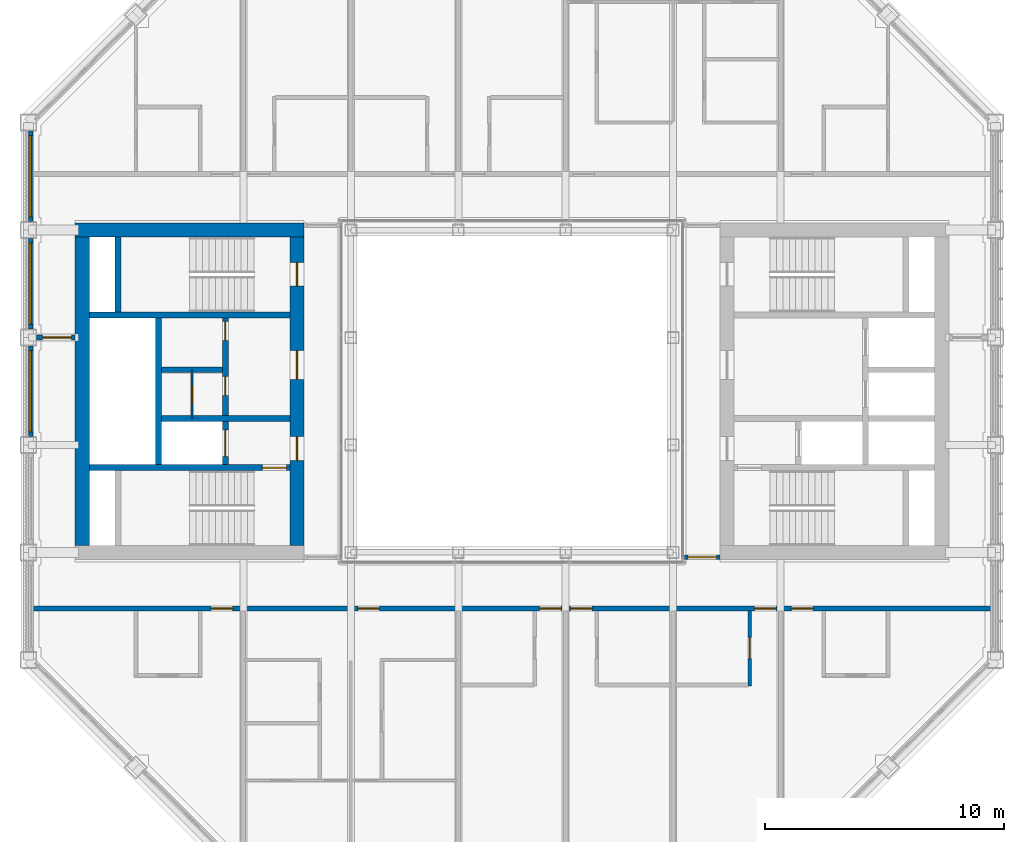
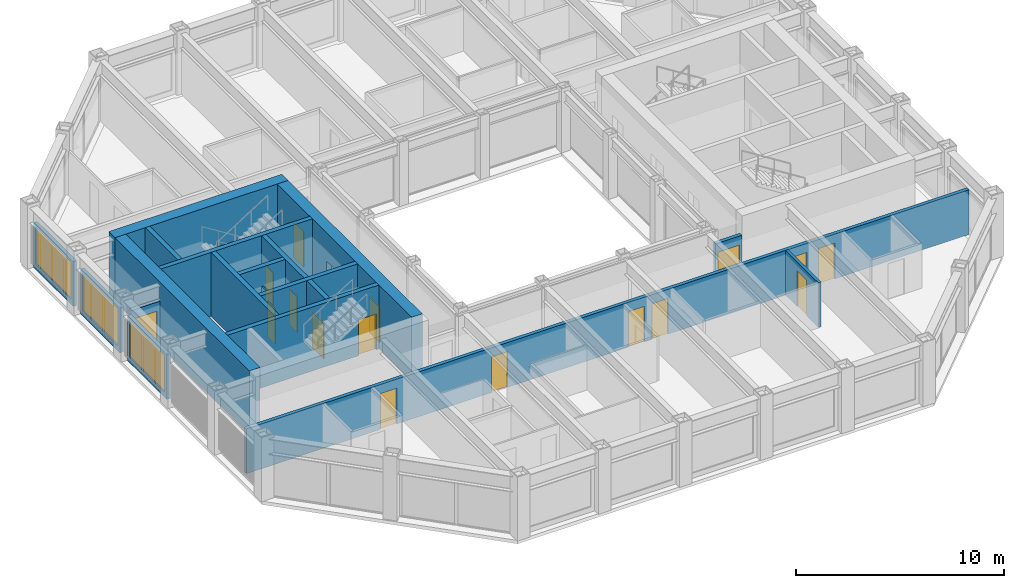
# One storey, part 10 of 18: 18 walls, 17 doors, 3 windows, 20 openings.
"""IFC4 building model written with IfcOpenShell, lengths in metres."""

from ifc_helpers import new_model, si_unit, direction, frame, frame_2d, origin, place, context, subcontext, project, spatial, rectangle, extrude, material, layer, layer_set, type_object, element, fill, save


model = new_model("IFC4")

# Units and contexts
model_context = context("Model", 3, precision=1e-05, world=origin(), true_north=direction((0.0, 1.0)))
body_context = subcontext(model_context, "Body", "Model", "MODEL_VIEW")
ifc_project = project(units=[si_unit("LENGTHUNIT", "METRE"), si_unit("AREAUNIT", "SQUARE_METRE"), si_unit("VOLUMEUNIT", "CUBIC_METRE"), si_unit("PLANEANGLEUNIT", "RADIAN"), si_unit("MASSUNIT", "GRAM", prefix="KILO")], contexts=[model_context])

# Site, building, storey
site_placement = place(None, origin())
site = spatial("IfcSite", under=ifc_project, at=site_placement, CompositionType="ELEMENT")
building_placement = place(site_placement, origin())
building = spatial("IfcBuilding", under=site, at=building_placement, Name="Msasa Ring Tower", CompositionType="ELEMENT")
storey_placement = place(building_placement, frame((0.0, 0.0, 223.300048828125)))
storey = spatial("IfcBuildingStorey", under=building, at=storey_placement, Name="L58", CompositionType="ELEMENT", Elevation=223.300048828125)

# Wall
ifc_material_1 = material(Name="Concrete C60/75", Category="concrete")
ifc_layer_1 = layer(ifc_material_1, 0.60009765625)
ifc_layer_set_1 = layer_set([ifc_layer_1], Name="CW3 CORE WALL 600")
wall_type_1 = type_object("IfcWallType", Name="CW3 CORE WALL 600", PredefinedType="SHEAR", material=ifc_layer_set_1)
wall_1_placement = place(storey_placement, frame((-8.699951171875, 6.75, 0.0), z_axis=(0.0, 0.0, 1.0), x_axis=(-1.0, 0.0, 0.0)))
element("IfcWall", 1, at=wall_1_placement, inside=storey, type_object=wall_type_1, Name="W core wall N L58", PredefinedType="SHEAR", context=body_context, shape_type="SweptSolid", body=[
    extrude(rectangle(XDim=9.60009765625, YDim=0.60009765625, at=frame_2d((4.800048828125, 0.0))), origin(), (0.0, 0.0, 1.0), 3.75),
])

# Wall, openings, doors
wall_2_placement = place(storey_placement, frame((-9.0, -6.449951171875, 0.0), z_axis=(0.0, 0.0, 1.0), x_axis=(0.0, 1.0, 0.0)))
wall_2 = element("IfcWall", 2, at=wall_2_placement, inside=storey, type_object=wall_type_1, Name="W core wall W L58", PredefinedType="SHEAR", context=body_context, shape_type="SweptSolid", body=[
    extrude(rectangle(XDim=12.89990234375, YDim=0.60009765625, at=frame_2d((6.449951171875, 0.0))), origin(), (0.0, 0.0, 1.0), 3.75),
])
opening_1_placement = place(wall_2_placement, frame((3.550048828125, 0.0, 0.0)))
opening_1 = element("IfcOpeningElement", 3, at=opening_1_placement, cuts=wall_2, Name="Opening SC-030", PredefinedType="OPENING", context=body_context, shape_type="SweptSolid", body=[
    extrude(rectangle(XDim=1.0, YDim=2.10009765625, at=frame_2d((0.5, 1.050048828125))), frame((0.0, 0.31005859375, 0.0), z_axis=(0.0, -1.0, 0.0), x_axis=(1.0, 0.0, 0.0)), (0.0, 0.0, 1.0), 0.6201171875),
])
opening_2_placement = place(wall_2_placement, frame((6.949951171875, 0.0, 0.0)))
opening_2 = element("IfcOpeningElement", 4, at=opening_2_placement, cuts=wall_2, Name="Opening SC-026", PredefinedType="OPENING", context=body_context, shape_type="SweptSolid", body=[
    extrude(rectangle(XDim=1.199951171875, YDim=2.10009765625, at=frame_2d((0.60009765625, 1.050048828125))), frame((0.0, 0.31005859375, 0.0), z_axis=(0.0, -1.0, 0.0), x_axis=(1.0, 0.0, 0.0)), (0.0, 0.0, 1.0), 0.6201171875),
])
opening_3_placement = place(wall_2_placement, frame((10.85009765625, 0.0, 0.0)))
opening_3 = element("IfcOpeningElement", 5, at=opening_3_placement, cuts=wall_2, Name="Opening SC-021", PredefinedType="OPENING", context=body_context, shape_type="SweptSolid", body=[
    extrude(rectangle(XDim=1.0, YDim=2.10009765625, at=frame_2d((0.5, 1.050048828125))), frame((0.0, 0.31005859375, 0.0), z_axis=(0.0, -1.0, 0.0), x_axis=(1.0, 0.0, 0.0)), (0.0, 0.0, 1.0), 0.6201171875),
])
ifc_material_2 = material(Name="Timber door leaf in a steel frame", Category="steel")
door_type_1 = type_object("IfcDoorType", Name="D26 WIDE SERVICE ROOM DOOR 1200x2100", OperationType="SINGLE_SWING_LEFT", PredefinedType="DOOR", material=ifc_material_2)
door_1_placement = place(opening_2_placement, origin())
door_1 = element("IfcDoor", 6, at=door_1_placement, inside=storey, type_object=door_type_1, Name="Door L58-WCR", OperationType="SINGLE_SWING_RIGHT", OverallHeight=2.10009765625, OverallWidth=1.199951171875, PredefinedType="DOOR", context=body_context, shape_type="SweptSolid", body=[
    extrude(rectangle(XDim=1.199951171875, YDim=2.10009765625, at=frame_2d((0.60009765625, 1.050048828125))), frame((0.0, 0.02490234375, 0.0), z_axis=(0.0, -1.0, 0.0), x_axis=(1.0, 0.0, 0.0)), (0.0, 0.0, 1.0), 0.050048828125),
])
fill(opening_2, door_1)
ifc_material_3 = material(Name="Timber door leaf in a steel frame", Category="steel")
door_type_2 = type_object("IfcDoorType", Name="D4 LOBBY DOOR 1000x2100", OperationType="SINGLE_SWING_LEFT", PredefinedType="DOOR", material=ifc_material_3)
door_2_placement = place(opening_1_placement, origin())
door_2 = element("IfcDoor", 7, at=door_2_placement, inside=storey, type_object=door_type_2, Name="Door L58-WFFL", OperationType="SINGLE_SWING_LEFT", OverallHeight=2.10009765625, OverallWidth=1.0, PredefinedType="DOOR", context=body_context, shape_type="SweptSolid", body=[
    extrude(rectangle(XDim=1.0, YDim=2.10009765625, at=frame_2d((0.5, 1.050048828125))), frame((0.0, 0.02490234375, 0.0), z_axis=(0.0, -1.0, 0.0), x_axis=(1.0, 0.0, 0.0)), (0.0, 0.0, 1.0), 0.050048828125),
])
fill(opening_1, door_2)
ifc_material_4 = material(Name="Timber door leaf in a steel frame", Category="steel")
door_type_3 = type_object("IfcDoorType", Name="D6 STAIR DOOR 1000x2100", OperationType="SINGLE_SWING_LEFT", PredefinedType="DOOR", material=ifc_material_4)
door_3_placement = place(opening_3_placement, origin())
door_3 = element("IfcDoor", 8, at=door_3_placement, inside=storey, type_object=door_type_3, Name="Door L58-WSTB", OperationType="SINGLE_SWING_RIGHT", OverallHeight=2.10009765625, OverallWidth=1.0, PredefinedType="DOOR", context=body_context, shape_type="SweptSolid", body=[
    extrude(rectangle(XDim=1.0, YDim=2.10009765625, at=frame_2d((0.5, 1.050048828125))), frame((0.0, 0.02490234375, 0.0), z_axis=(0.0, -1.0, 0.0), x_axis=(1.0, 0.0, 0.0)), (0.0, 0.0, 1.0), 0.050048828125),
])
fill(opening_3, door_3)

# Wall
wall_3_placement = place(storey_placement, frame((-18.0, -6.449951171875, 0.0), z_axis=(0.0, 0.0, 1.0), x_axis=(0.0, 1.0, 0.0)))
element("IfcWall", 9, at=wall_3_placement, inside=storey, type_object=wall_type_1, Name="W core wall E L58", PredefinedType="SHEAR", context=body_context, shape_type="SweptSolid", body=[
    extrude(rectangle(XDim=12.89990234375, YDim=0.60009765625, at=frame_2d((6.449951171875, 0.0))), origin(), (0.0, 0.0, 1.0), 3.75),
])

# Wall, opening, door
ifc_material_5 = material(Name="Concrete C60/75", Category="concrete")
ifc_layer_2 = layer(ifc_material_5, 0.25)
ifc_layer_set_2 = layer_set([ifc_layer_2], Name="CW4 CORE INNER WALL 250")
wall_type_2 = type_object("IfcWallType", Name="CW4 CORE INNER WALL 250", PredefinedType="SHEAR", material=ifc_layer_set_2)
wall_4_placement = place(storey_placement, frame((-9.300048828125, -3.199951171875, 0.0), z_axis=(0.0, 0.0, 1.0), x_axis=(-1.0, 0.0, 0.0)))
wall_4 = element("IfcWall", 10, at=wall_4_placement, inside=storey, type_object=wall_type_2, Name="W core wall STAIRA L58", PredefinedType="SHEAR", context=body_context, shape_type="SweptSolid", body=[
    extrude(rectangle(XDim=8.39990234375, YDim=0.25, at=frame_2d((4.199951171875, 0.0))), origin(), (0.0, 0.0, 1.0), 3.75),
])
opening_4_placement = place(wall_4_placement, frame((0.14990234375, 0.0, 0.0)))
opening_4 = element("IfcOpeningElement", 11, at=opening_4_placement, cuts=wall_4, Name="Opening SC-032", PredefinedType="OPENING", context=body_context, shape_type="SweptSolid", body=[
    extrude(rectangle(XDim=1.0, YDim=2.10009765625, at=frame_2d((0.5, 1.050048828125))), frame((0.0, 0.135009765625, 0.0), z_axis=(0.0, -1.0, 0.0), x_axis=(1.0, 0.0, 0.0)), (0.0, 0.0, 1.0), 0.27001953125),
])
door_4_placement = place(opening_4_placement, origin())
door_4 = element("IfcDoor", 12, at=door_4_placement, inside=storey, type_object=door_type_3, Name="Door L58-WSTA", OperationType="SINGLE_SWING_LEFT", OverallHeight=2.10009765625, OverallWidth=1.0, PredefinedType="DOOR", context=body_context, shape_type="SweptSolid", body=[
    extrude(rectangle(XDim=1.0, YDim=2.10009765625, at=frame_2d((0.5, 1.050048828125))), frame((0.0, 0.02490234375, 0.0), z_axis=(0.0, -1.0, 0.0), x_axis=(1.0, 0.0, 0.0)), (0.0, 0.0, 1.0), 0.050048828125),
])
fill(opening_4, door_4)

# Walls
wall_5_placement = place(storey_placement, frame((-9.300048828125, 3.199951171875, 0.0), z_axis=(0.0, 0.0, 1.0), x_axis=(-1.0, 0.0, 0.0)))
element("IfcWall", 13, at=wall_5_placement, inside=storey, type_object=wall_type_2, Name="W core wall STAIRB L58", PredefinedType="SHEAR", context=body_context, shape_type="SweptSolid", body=[
    extrude(rectangle(XDim=8.39990234375, YDim=0.25, at=frame_2d((4.199951171875, 0.0))), origin(), (0.0, 0.0, 1.0), 3.75),
])
wall_6_placement = place(storey_placement, frame((-16.5, 3.324951171875, 0.0), z_axis=(0.0, 0.0, 1.0), x_axis=(0.0, 1.0, 0.0)))
element("IfcWall", 14, at=wall_6_placement, inside=storey, type_object=wall_type_2, Name="W core wall RISERB L58", PredefinedType="SHEAR", context=body_context, shape_type="SweptSolid", body=[
    extrude(rectangle(XDim=3.125, YDim=0.25, at=frame_2d((1.5625, 0.0))), origin(), (0.0, 0.0, 1.0), 3.75),
])
wall_7_placement = place(storey_placement, frame((-9.300048828125, -1.14990234375, 0.0), z_axis=(0.0, 0.0, 1.0), x_axis=(-1.0, 0.0, 0.0)))
element("IfcWall", 15, at=wall_7_placement, inside=storey, type_object=wall_type_2, Name="W core wall FFL L58", PredefinedType="SHEAR", context=body_context, shape_type="SweptSolid", body=[
    extrude(rectangle(XDim=5.375, YDim=0.25, at=frame_2d((2.6875, 0.0))), origin(), (0.0, 0.0, 1.0), 3.75),
])

# Wall, openings, doors
wall_8_placement = place(storey_placement, frame((-12.0, -3.074951171875, 0.0), z_axis=(0.0, 0.0, 1.0), x_axis=(0.0, 1.0, 0.0)))
wall_8 = element("IfcWall", 16, at=wall_8_placement, inside=storey, type_object=wall_type_2, Name="W core wall LOBBY L58", PredefinedType="SHEAR", context=body_context, shape_type="SweptSolid", body=[
    extrude(rectangle(XDim=6.14990234375, YDim=0.25, at=frame_2d((3.074951171875, 0.0))), origin(), (0.0, 0.0, 1.0), 3.75),
])
opening_5_placement = place(wall_8_placement, frame((2.89990234375, 0.0, 0.0)))
opening_5 = element("IfcOpeningElement", 17, at=opening_5_placement, cuts=wall_8, Name="Opening SC-028", PredefinedType="OPENING", context=body_context, shape_type="SweptSolid", body=[
    extrude(rectangle(XDim=0.800048828125, YDim=2.10009765625, at=frame_2d((0.39990234375, 1.050048828125))), frame((0.0, 0.135009765625, 0.0), z_axis=(0.0, -1.0, 0.0), x_axis=(1.0, 0.0, 0.0)), (0.0, 0.0, 1.0), 0.27001953125),
])
opening_6_placement = place(wall_8_placement, frame((5.199951171875, 0.0, 0.0)))
opening_6 = element("IfcOpeningElement", 18, at=opening_6_placement, cuts=wall_8, Name="Opening SC-023", PredefinedType="OPENING", context=body_context, shape_type="SweptSolid", body=[
    extrude(rectangle(XDim=0.800048828125, YDim=2.10009765625, at=frame_2d((0.39990234375, 1.050048828125))), frame((0.0, 0.135009765625, 0.0), z_axis=(0.0, -1.0, 0.0), x_axis=(1.0, 0.0, 0.0)), (0.0, 0.0, 1.0), 0.27001953125),
])
opening_7_placement = place(wall_8_placement, frame((0.35009765625, 0.0, 0.0)))
opening_7 = element("IfcOpeningElement", 19, at=opening_7_placement, cuts=wall_8, Name="Opening LD1", PredefinedType="OPENING", context=body_context, shape_type="SweptSolid", body=[
    extrude(rectangle(XDim=1.10009765625, YDim=2.10009765625, at=frame_2d((0.550048828125, 1.050048828125))), frame((0.0, 0.135009765625, 0.0), z_axis=(0.0, -1.0, 0.0), x_axis=(1.0, 0.0, 0.0)), (0.0, 0.0, 1.0), 0.27001953125),
])
ifc_material_6 = material(Name="Timber door leaf in a steel frame", Category="steel")
door_type_4 = type_object("IfcDoorType", Name="D9 NARROW SERVICE DOOR 800x2100", OperationType="SINGLE_SWING_LEFT", PredefinedType="DOOR", material=ifc_material_6)
door_5_placement = place(opening_5_placement, origin())
door_5 = element("IfcDoor", 20, at=door_5_placement, inside=storey, type_object=door_type_4, Name="Door L58-WR1", OperationType="SINGLE_SWING_RIGHT", OverallHeight=2.10009765625, OverallWidth=0.800048828125, PredefinedType="DOOR", context=body_context, shape_type="SweptSolid", body=[
    extrude(rectangle(XDim=0.800048828125, YDim=2.10009765625, at=frame_2d((0.39990234375, 1.050048828125))), frame((0.0, 0.02490234375, 0.0), z_axis=(0.0, -1.0, 0.0), x_axis=(1.0, 0.0, 0.0)), (0.0, 0.0, 1.0), 0.050048828125),
])
fill(opening_5, door_5)
door_6_placement = place(opening_6_placement, origin())
door_6 = element("IfcDoor", 21, at=door_6_placement, inside=storey, type_object=door_type_4, Name="Door L58-WR2", OperationType="SINGLE_SWING_RIGHT", OverallHeight=2.10009765625, OverallWidth=0.800048828125, PredefinedType="DOOR", context=body_context, shape_type="SweptSolid", body=[
    extrude(rectangle(XDim=0.800048828125, YDim=2.10009765625, at=frame_2d((0.39990234375, 1.050048828125))), frame((0.0, 0.02490234375, 0.0), z_axis=(0.0, -1.0, 0.0), x_axis=(1.0, 0.0, 0.0)), (0.0, 0.0, 1.0), 0.050048828125),
])
fill(opening_6, door_6)
ifc_material_7 = material(Name="Stainless steel lift landing door", Category="steel")
door_type_5 = type_object("IfcDoorType", Name="LD1 LIFT LANDING DOOR 1100x2100", OperationType="DOUBLE_DOOR_SLIDING", PredefinedType="DOOR", material=ifc_material_7)
door_7_placement = place(opening_7_placement, origin())
door_7 = element("IfcDoor", 22, at=door_7_placement, inside=storey, type_object=door_type_5, Name="Lift landing door FL-W L58", OperationType="DOUBLE_DOOR_SLIDING", OverallHeight=2.10009765625, OverallWidth=1.10009765625, PredefinedType="DOOR", context=body_context, shape_type="SweptSolid", body=[
    extrude(rectangle(XDim=1.10009765625, YDim=2.10009765625, at=frame_2d((0.550048828125, 1.050048828125))), frame((0.0, 0.02490234375, 0.0), z_axis=(0.0, -1.0, 0.0), x_axis=(1.0, 0.0, 0.0)), (0.0, 0.0, 1.0), 0.050048828125),
])
fill(opening_7, door_7)

# Walls
wall_9_placement = place(storey_placement, frame((-14.800048828125, -3.074951171875, 0.0), z_axis=(0.0, 0.0, 1.0), x_axis=(0.0, 1.0, 0.0)))
element("IfcWall", 23, at=wall_9_placement, inside=storey, type_object=wall_type_2, Name="W core wall SHAFT L58", PredefinedType="SHEAR", context=body_context, shape_type="SweptSolid", body=[
    extrude(rectangle(XDim=6.14990234375, YDim=0.25, at=frame_2d((3.074951171875, 0.0))), origin(), (0.0, 0.0, 1.0), 3.75),
])
wall_10_placement = place(storey_placement, frame((-12.125, 0.89990234375, 0.0), z_axis=(0.0, 0.0, 1.0), x_axis=(-1.0, 0.0, 0.0)))
element("IfcWall", 24, at=wall_10_placement, inside=storey, type_object=wall_type_2, Name="W core wall LIFT1 L58", PredefinedType="SHEAR", context=body_context, shape_type="SweptSolid", body=[
    extrude(rectangle(XDim=2.550048828125, YDim=0.25, at=frame_2d((1.27490234375, 0.0))), origin(), (0.0, 0.0, 1.0), 3.75),
])

# Wall, opening, window
ifc_material_8 = material(Name="Terracotta rainscreen on blockwork", Category="masonry")
ifc_layer_3 = layer(ifc_material_8, 0.199951171875)
ifc_layer_set_3 = layer_set([ifc_layer_3], Name="FW1 TERRACOTTA-LINED INFILL BAY WALL 200")
wall_type_3 = type_object("IfcWallType", Name="FW1 TERRACOTTA-LINED INFILL BAY WALL 200", PredefinedType="SOLIDWALL", material=ifc_layer_set_3)
wall_11_placement = place(storey_placement, frame((-20.14990234375, -1.89501953125, 0.0), z_axis=(0.0, 0.0, 1.0), x_axis=(0.0, 1.0, 0.0)))
wall_11 = element("IfcWall", 25, at=wall_11_placement, inside=storey, type_object=wall_type_3, Name="Infill bay wall W L58 23", PredefinedType="SOLIDWALL", context=body_context, shape_type="SweptSolid", body=[
    extrude(rectangle(XDim=3.7900390625, YDim=0.199951171875, at=frame_2d((1.89501953125, 0.0))), origin(), (0.0, 0.0, 1.0), 2.62890625),
])
opening_8_placement = place(wall_11_placement, frame((0.195068359375, 0.0, 0.300048828125)))
opening_8 = element("IfcOpeningElement", 26, at=opening_8_placement, cuts=wall_11, Name="Opening WN3", PredefinedType="OPENING", context=body_context, shape_type="SweptSolid", body=[
    extrude(rectangle(XDim=3.39990234375, YDim=2.178955078125, at=frame_2d((1.699951171875, 1.08935546875))), frame((0.0, 0.10986328125, 0.0), z_axis=(0.0, -1.0, 0.0), x_axis=(1.0, 0.0, 0.0)), (0.0, 0.0, 1.0), 0.219970703125),
])
ifc_material_9 = material(Name="Aluminium frame with clear glass", Category="aluminium")
window_type = type_object("IfcWindowType", Name="WN3 SUITE WINDOW 3400x2179", PartitioningType="SINGLE_PANEL", PredefinedType="WINDOW", material=ifc_material_9)
window_1_placement = place(opening_8_placement, origin())
window_1 = element("IfcWindow", 27, at=window_1_placement, inside=storey, type_object=window_type, Name="Window W L58 23", OverallHeight=2.178955078125, OverallWidth=3.39990234375, PartitioningType="SINGLE_PANEL", PredefinedType="WINDOW", context=body_context, shape_type="SweptSolid", body=[
    extrude(rectangle(XDim=3.39990234375, YDim=2.178955078125, at=frame_2d((1.699951171875, 1.08935546875))), frame((0.0, 0.030029296875, 0.0), z_axis=(0.0, -1.0, 0.0), x_axis=(1.0, 0.0, 0.0)), (0.0, 0.0, 1.0), 0.06005859375),
])
fill(opening_8, window_1)

wall_12_placement = place(storey_placement, frame((-20.14990234375, 2.60498046875, 0.0), z_axis=(0.0, 0.0, 1.0), x_axis=(0.0, 1.0, 0.0)))
wall_12 = element("IfcWall", 28, at=wall_12_placement, inside=storey, type_object=wall_type_3, Name="Infill bay wall W L58 24", PredefinedType="SOLIDWALL", context=body_context, shape_type="SweptSolid", body=[
    extrude(rectangle(XDim=3.7900390625, YDim=0.199951171875, at=frame_2d((1.89501953125, 0.0))), origin(), (0.0, 0.0, 1.0), 2.62890625),
])
opening_9_placement = place(wall_12_placement, frame((0.195068359375, 0.0, 0.300048828125)))
opening_9 = element("IfcOpeningElement", 29, at=opening_9_placement, cuts=wall_12, Name="Opening WN3", PredefinedType="OPENING", context=body_context, shape_type="SweptSolid", body=[
    extrude(rectangle(XDim=3.39990234375, YDim=2.178955078125, at=frame_2d((1.699951171875, 1.08935546875))), frame((0.0, 0.10986328125, 0.0), z_axis=(0.0, -1.0, 0.0), x_axis=(1.0, 0.0, 0.0)), (0.0, 0.0, 1.0), 0.219970703125),
])
window_2_placement = place(opening_9_placement, origin())
window_2 = element("IfcWindow", 30, at=window_2_placement, inside=storey, type_object=window_type, Name="Window W L58 24", OverallHeight=2.178955078125, OverallWidth=3.39990234375, PartitioningType="SINGLE_PANEL", PredefinedType="WINDOW", context=body_context, shape_type="SweptSolid", body=[
    extrude(rectangle(XDim=3.39990234375, YDim=2.178955078125, at=frame_2d((1.699951171875, 1.08935546875))), frame((0.0, 0.030029296875, 0.0), z_axis=(0.0, -1.0, 0.0), x_axis=(1.0, 0.0, 0.0)), (0.0, 0.0, 1.0), 0.06005859375),
])
fill(opening_9, window_2)

wall_13_placement = place(storey_placement, frame((-20.14990234375, 7.10498046875, 0.0), z_axis=(0.0, 0.0, 1.0), x_axis=(0.0, 1.0, 0.0)))
wall_13 = element("IfcWall", 31, at=wall_13_placement, inside=storey, type_object=wall_type_3, Name="Infill bay wall W L58 25", PredefinedType="SOLIDWALL", context=body_context, shape_type="SweptSolid", body=[
    extrude(rectangle(XDim=3.7900390625, YDim=0.199951171875, at=frame_2d((1.89501953125, 0.0))), origin(), (0.0, 0.0, 1.0), 2.62890625),
])
opening_10_placement = place(wall_13_placement, frame((0.195068359375, 0.0, 0.300048828125)))
opening_10 = element("IfcOpeningElement", 32, at=opening_10_placement, cuts=wall_13, Name="Opening WN3", PredefinedType="OPENING", context=body_context, shape_type="SweptSolid", body=[
    extrude(rectangle(XDim=3.39990234375, YDim=2.178955078125, at=frame_2d((1.699951171875, 1.08935546875))), frame((0.0, 0.10986328125, 0.0), z_axis=(0.0, -1.0, 0.0), x_axis=(1.0, 0.0, 0.0)), (0.0, 0.0, 1.0), 0.219970703125),
])
window_3_placement = place(opening_10_placement, origin())
window_3 = element("IfcWindow", 33, at=window_3_placement, inside=storey, type_object=window_type, Name="Window W L58 25", OverallHeight=2.178955078125, OverallWidth=3.39990234375, PartitioningType="SINGLE_PANEL", PredefinedType="WINDOW", context=body_context, shape_type="SweptSolid", body=[
    extrude(rectangle(XDim=3.39990234375, YDim=2.178955078125, at=frame_2d((1.699951171875, 1.08935546875))), frame((0.0, 0.030029296875, 0.0), z_axis=(0.0, -1.0, 0.0), x_axis=(1.0, 0.0, 0.0)), (0.0, 0.0, 1.0), 0.06005859375),
])
fill(opening_10, window_3)

# Wall, opening, door
ifc_material_10 = material(Name="Concrete blockwork", Category="masonry")
ifc_layer_4 = layer(ifc_material_10, 0.199951171875)
ifc_layer_set_4 = layer_set([ifc_layer_4], Name="PT1 CORRIDOR WALL 200")
wall_type_4 = type_object("IfcWallType", Name="PT1 CORRIDOR WALL 200", PredefinedType="PARTITIONING", material=ifc_layer_set_4)
wall_14_placement = place(storey_placement, frame((-19.89990234375, 2.25, 0.0), z_axis=(0.0, 0.0, 1.0), x_axis=(1.0, 0.0, 0.0)))
wall_14 = element("IfcWall", 34, at=wall_14_placement, inside=storey, type_object=wall_type_4, Name="Corridor wall L58-WSW", PredefinedType="PARTITIONING", context=body_context, shape_type="SweptSolid", body=[
    extrude(rectangle(XDim=1.599853515625, YDim=0.199951171875, at=frame_2d((0.7998046875, 0.0))), origin(), (0.0, 0.0, 1.0), 2.62890625),
])
opening_11_placement = place(wall_14_placement, frame((0.25, 0.0, 0.0)))
opening_11 = element("IfcOpeningElement", 35, at=opening_11_placement, cuts=wall_14, Name="Opening SC-024", PredefinedType="OPENING", context=body_context, shape_type="SweptSolid", body=[
    extrude(rectangle(XDim=1.199951171875, YDim=2.10009765625, at=frame_2d((0.60009765625, 1.050048828125))), frame((0.0, 0.10986328125, 0.0), z_axis=(0.0, -1.0, 0.0), x_axis=(1.0, 0.0, 0.0)), (0.0, 0.0, 1.0), 0.219970703125),
])
ifc_material_11 = material(Name="Timber door leaf in a steel frame", Category="steel")
door_type_6 = type_object("IfcDoorType", Name="D25 CORRIDOR PAIR OF SMOKE DOORS 1200x2100", OperationType="DOUBLE_DOOR_DOUBLE_SWING", PredefinedType="DOOR", material=ifc_material_11)
door_8_placement = place(opening_11_placement, origin())
door_8 = element("IfcDoor", 36, at=door_8_placement, inside=storey, type_object=door_type_6, Name="Door L58-WSW", OperationType="DOUBLE_DOOR_DOUBLE_SWING", OverallHeight=2.10009765625, OverallWidth=1.199951171875, PredefinedType="DOOR", context=body_context, shape_type="SweptSolid", body=[
    extrude(rectangle(XDim=1.199951171875, YDim=2.10009765625, at=frame_2d((0.60009765625, 1.050048828125))), frame((0.0, 0.02490234375, 0.0), z_axis=(0.0, -1.0, 0.0), x_axis=(1.0, 0.0, 0.0)), (0.0, 0.0, 1.0), 0.050048828125),
])
fill(opening_11, door_8)

wall_15_placement = place(storey_placement, frame((7.22998046875, -6.949951171875, 0.0), z_axis=(0.0, 0.0, 1.0), x_axis=(1.0, 0.0, 0.0)))
wall_15 = element("IfcWall", 37, at=wall_15_placement, inside=storey, type_object=wall_type_4, Name="Corridor wall L58-SDES", PredefinedType="PARTITIONING", context=body_context, shape_type="SweptSolid", body=[
    extrude(rectangle(XDim=1.469970703125, YDim=0.199951171875, at=frame_2d((0.73486328125, 0.0))), origin(), (0.0, 0.0, 1.0), 2.62890625),
])
opening_12_placement = place(wall_15_placement, frame((0.135009765625, 0.0, 0.0)))
opening_12 = element("IfcOpeningElement", 38, at=opening_12_placement, cuts=wall_15, Name="Opening SC-035", PredefinedType="OPENING", context=body_context, shape_type="SweptSolid", body=[
    extrude(rectangle(XDim=1.199951171875, YDim=2.10009765625, at=frame_2d((0.60009765625, 1.050048828125))), frame((0.0, 0.10986328125, 0.0), z_axis=(0.0, -1.0, 0.0), x_axis=(1.0, 0.0, 0.0)), (0.0, 0.0, 1.0), 0.219970703125),
])
door_9_placement = place(opening_12_placement, origin())
door_9 = element("IfcDoor", 39, at=door_9_placement, inside=storey, type_object=door_type_6, Name="Door L58-SDES", OperationType="DOUBLE_DOOR_DOUBLE_SWING", OverallHeight=2.10009765625, OverallWidth=1.199951171875, PredefinedType="DOOR", context=body_context, shape_type="SweptSolid", body=[
    extrude(rectangle(XDim=1.199951171875, YDim=2.10009765625, at=frame_2d((0.60009765625, 1.050048828125))), frame((0.0, 0.02490234375, 0.0), z_axis=(0.0, -1.0, 0.0), x_axis=(1.0, 0.0, 0.0)), (0.0, 0.0, 1.0), 0.050048828125),
])
fill(opening_12, door_9)

# Wall, openings, doors
wall_16_placement = place(storey_placement, frame((-20.050048828125, -9.10009765625, 0.0), z_axis=(0.0, 0.0, 1.0), x_axis=(1.0, 0.0, 0.0)))
wall_16 = element("IfcWall", 40, at=wall_16_placement, inside=storey, type_object=wall_type_4, Name="Corridor wall L58-CORRS0", PredefinedType="PARTITIONING", context=body_context, shape_type="SweptSolid", body=[
    extrude(rectangle(XDim=40.10009765625, YDim=0.199951171875, at=frame_2d((20.050048828125, 0.0))), origin(), (0.0, 0.0, 1.0), 2.62890625),
])
opening_13_placement = place(wall_16_placement, frame((13.60009765625, 0.0, 0.0)))
opening_13 = element("IfcOpeningElement", 41, at=opening_13_placement, cuts=wall_16, Name="Opening SC-037", PredefinedType="OPENING", context=body_context, shape_type="SweptSolid", body=[
    extrude(rectangle(XDim=0.89990234375, YDim=2.10009765625, at=frame_2d((0.449951171875, 1.050048828125))), frame((0.0, 0.10986328125, 0.0), z_axis=(0.0, -1.0, 0.0), x_axis=(1.0, 0.0, 0.0)), (0.0, 0.0, 1.0), 0.219970703125),
])
opening_14_placement = place(wall_16_placement, frame((21.199951171875, 0.0, 0.0)))
opening_14 = element("IfcOpeningElement", 42, at=opening_14_placement, cuts=wall_16, Name="Opening SC-038", PredefinedType="OPENING", context=body_context, shape_type="SweptSolid", body=[
    extrude(rectangle(XDim=0.89990234375, YDim=2.10009765625, at=frame_2d((0.449951171875, 1.050048828125))), frame((0.0, 0.10986328125, 0.0), z_axis=(0.0, -1.0, 0.0), x_axis=(1.0, 0.0, 0.0)), (0.0, 0.0, 1.0), 0.219970703125),
])
opening_15_placement = place(wall_16_placement, frame((22.5, 0.0, 0.0)))
opening_15 = element("IfcOpeningElement", 43, at=opening_15_placement, cuts=wall_16, Name="Opening SC-039", PredefinedType="OPENING", context=body_context, shape_type="SweptSolid", body=[
    extrude(rectangle(XDim=0.89990234375, YDim=2.10009765625, at=frame_2d((0.449951171875, 1.050048828125))), frame((0.0, 0.10986328125, 0.0), z_axis=(0.0, -1.0, 0.0), x_axis=(1.0, 0.0, 0.0)), (0.0, 0.0, 1.0), 0.219970703125),
])
opening_16_placement = place(wall_16_placement, frame((30.199951171875, 0.0, 0.0)))
opening_16 = element("IfcOpeningElement", 44, at=opening_16_placement, cuts=wall_16, Name="Opening SC-040", PredefinedType="OPENING", context=body_context, shape_type="SweptSolid", body=[
    extrude(rectangle(XDim=0.89990234375, YDim=2.10009765625, at=frame_2d((0.449951171875, 1.050048828125))), frame((0.0, 0.10986328125, 0.0), z_axis=(0.0, -1.0, 0.0), x_axis=(1.0, 0.0, 0.0)), (0.0, 0.0, 1.0), 0.219970703125),
])
opening_17_placement = place(wall_16_placement, frame((31.75, 0.0, 0.0)))
opening_17 = element("IfcOpeningElement", 45, at=opening_17_placement, cuts=wall_16, Name="Opening SC-041", PredefinedType="OPENING", context=body_context, shape_type="SweptSolid", body=[
    extrude(rectangle(XDim=0.89990234375, YDim=2.10009765625, at=frame_2d((0.449951171875, 1.050048828125))), frame((0.0, 0.10986328125, 0.0), z_axis=(0.0, -1.0, 0.0), x_axis=(1.0, 0.0, 0.0)), (0.0, 0.0, 1.0), 0.219970703125),
])
opening_18_placement = place(wall_16_placement, frame((7.449951171875, 0.0, 0.0)))
opening_18 = element("IfcOpeningElement", 46, at=opening_18_placement, cuts=wall_16, Name="Opening SC-036", PredefinedType="OPENING", context=body_context, shape_type="SweptSolid", body=[
    extrude(rectangle(XDim=0.89990234375, YDim=2.10009765625, at=frame_2d((0.449951171875, 1.050048828125))), frame((0.0, 0.10986328125, 0.0), z_axis=(0.0, -1.0, 0.0), x_axis=(1.0, 0.0, 0.0)), (0.0, 0.0, 1.0), 0.219970703125),
])
ifc_material_12 = material(Name="Timber door leaf in a steel frame", Category="steel")
door_type_7 = type_object("IfcDoorType", Name="D1 SINGLE DOOR TO CORRIDOR 900x2100", OperationType="SINGLE_SWING_LEFT", PredefinedType="DOOR", material=ifc_material_12)
door_10_placement = place(opening_14_placement, origin())
door_10 = element("IfcDoor", 47, at=door_10_placement, inside=storey, type_object=door_type_7, Name="Door L58-JS01", OperationType="SINGLE_SWING_RIGHT", OverallHeight=2.10009765625, OverallWidth=0.89990234375, PredefinedType="DOOR", context=body_context, shape_type="SweptSolid", body=[
    extrude(rectangle(XDim=0.89990234375, YDim=2.10009765625, at=frame_2d((0.449951171875, 1.050048828125))), frame((0.0, 0.02490234375, 0.0), z_axis=(0.0, -1.0, 0.0), x_axis=(1.0, 0.0, 0.0)), (0.0, 0.0, 1.0), 0.050048828125),
])
fill(opening_14, door_10)
door_11_placement = place(opening_15_placement, origin())
door_11 = element("IfcDoor", 48, at=door_11_placement, inside=storey, type_object=door_type_7, Name="Door L58-JS02", OperationType="SINGLE_SWING_RIGHT", OverallHeight=2.10009765625, OverallWidth=0.89990234375, PredefinedType="DOOR", context=body_context, shape_type="SweptSolid", body=[
    extrude(rectangle(XDim=0.89990234375, YDim=2.10009765625, at=frame_2d((0.449951171875, 1.050048828125))), frame((0.0, 0.02490234375, 0.0), z_axis=(0.0, -1.0, 0.0), x_axis=(1.0, 0.0, 0.0)), (0.0, 0.0, 1.0), 0.050048828125),
])
fill(opening_15, door_11)
door_12_placement = place(opening_16_placement, origin())
door_12 = element("IfcDoor", 49, at=door_12_placement, inside=storey, type_object=door_type_7, Name="Door L58-JS03", OperationType="SINGLE_SWING_RIGHT", OverallHeight=2.10009765625, OverallWidth=0.89990234375, PredefinedType="DOOR", context=body_context, shape_type="SweptSolid", body=[
    extrude(rectangle(XDim=0.89990234375, YDim=2.10009765625, at=frame_2d((0.449951171875, 1.050048828125))), frame((0.0, 0.02490234375, 0.0), z_axis=(0.0, -1.0, 0.0), x_axis=(1.0, 0.0, 0.0)), (0.0, 0.0, 1.0), 0.050048828125),
])
fill(opening_16, door_12)
ifc_material_13 = material(Name="Timber door leaf in a steel frame", Category="steel")
door_type_8 = type_object("IfcDoorType", Name="D2 ENTRANCE DOOR 900x2100", OperationType="SINGLE_SWING_LEFT", PredefinedType="DOOR", material=ifc_material_13)
door_13_placement = place(opening_13_placement, origin())
door_13 = element("IfcDoor", 50, at=door_13_placement, inside=storey, type_object=door_type_8, Name="Door L58-JS00", OperationType="SINGLE_SWING_LEFT", OverallHeight=2.10009765625, OverallWidth=0.89990234375, PredefinedType="DOOR", context=body_context, shape_type="SweptSolid", body=[
    extrude(rectangle(XDim=0.89990234375, YDim=2.10009765625, at=frame_2d((0.449951171875, 1.050048828125))), frame((0.0, 0.02490234375, 0.0), z_axis=(0.0, -1.0, 0.0), x_axis=(1.0, 0.0, 0.0)), (0.0, 0.0, 1.0), 0.050048828125),
])
fill(opening_13, door_13)
door_14_placement = place(opening_17_placement, origin())
door_14 = element("IfcDoor", 51, at=door_14_placement, inside=storey, type_object=door_type_8, Name="Door L58-CSSE", OperationType="SINGLE_SWING_RIGHT", OverallHeight=2.10009765625, OverallWidth=0.89990234375, PredefinedType="DOOR", context=body_context, shape_type="SweptSolid", body=[
    extrude(rectangle(XDim=0.89990234375, YDim=2.10009765625, at=frame_2d((0.449951171875, 1.050048828125))), frame((0.0, 0.02490234375, 0.0), z_axis=(0.0, -1.0, 0.0), x_axis=(1.0, 0.0, 0.0)), (0.0, 0.0, 1.0), 0.050048828125),
])
fill(opening_17, door_14)
door_15_placement = place(opening_18_placement, origin())
door_15 = element("IfcDoor", 52, at=door_15_placement, inside=storey, type_object=door_type_8, Name="Door L58-CSSW", OperationType="SINGLE_SWING_LEFT", OverallHeight=2.10009765625, OverallWidth=0.89990234375, PredefinedType="DOOR", context=body_context, shape_type="SweptSolid", body=[
    extrude(rectangle(XDim=0.89990234375, YDim=2.10009765625, at=frame_2d((0.449951171875, 1.050048828125))), frame((0.0, 0.02490234375, 0.0), z_axis=(0.0, -1.0, 0.0), x_axis=(1.0, 0.0, 0.0)), (0.0, 0.0, 1.0), 0.050048828125),
])
fill(opening_18, door_15)

# Wall, opening, door
ifc_material_14 = material(Name="Gypsum board on steel studs", Category="steel")
ifc_layer_5 = layer(ifc_material_14, 0.10009765625)
ifc_layer_set_5 = layer_set([ifc_layer_5], Name="PT2 STUD PARTITION 100")
wall_type_5 = type_object("IfcWallType", Name="PT2 STUD PARTITION 100", PredefinedType="PARTITIONING", material=ifc_layer_set_5)
wall_17_placement = place(storey_placement, frame((-13.39990234375, -1.14990234375, 0.0), z_axis=(0.0, 0.0, 1.0), x_axis=(0.0, 1.0, 0.0)))
wall_17 = element("IfcWall", 53, at=wall_17_placement, inside=storey, type_object=wall_type_5, Name="Partition L58-WRP1", PredefinedType="PARTITIONING", context=body_context, shape_type="SweptSolid", body=[
    extrude(rectangle(XDim=2.0498046875, YDim=0.10009765625, at=frame_2d((1.02490234375, 0.0))), origin(), (0.0, 0.0, 1.0), 2.62890625),
])
opening_19_placement = place(wall_17_placement, frame((0.675048828125, 0.0, 0.0)))
opening_19 = element("IfcOpeningElement", 54, at=opening_19_placement, cuts=wall_17, Name="Opening SC-029", PredefinedType="OPENING", context=body_context, shape_type="SweptSolid", body=[
    extrude(rectangle(XDim=0.699951171875, YDim=2.10009765625, at=frame_2d((0.35009765625, 1.050048828125))), frame((0.0, 0.06005859375, 0.0), z_axis=(0.0, -1.0, 0.0), x_axis=(1.0, 0.0, 0.0)), (0.0, 0.0, 1.0), 0.1201171875),
])
ifc_material_15 = material(Name="Timber door leaf in a steel frame", Category="steel")
door_type_9 = type_object("IfcDoorType", Name="D32 INTERNAL NARROW STORE DOOR 700x2100", OperationType="SINGLE_SWING_LEFT", PredefinedType="DOOR", material=ifc_material_15)
door_16_placement = place(opening_19_placement, origin())
door_16 = element("IfcDoor", 55, at=door_16_placement, inside=storey, type_object=door_type_9, Name="Door L58-WRC1", OperationType="SINGLE_SWING_LEFT", OverallHeight=2.10009765625, OverallWidth=0.699951171875, PredefinedType="DOOR", context=body_context, shape_type="SweptSolid", body=[
    extrude(rectangle(XDim=0.699951171875, YDim=2.10009765625, at=frame_2d((0.35009765625, 1.050048828125))), frame((0.0, 0.02490234375, 0.0), z_axis=(0.0, -1.0, 0.0), x_axis=(1.0, 0.0, 0.0)), (0.0, 0.0, 1.0), 0.050048828125),
])
fill(opening_19, door_16)

ifc_material_16 = material(Name="Moisture-resistant board on steel studs with a concealed cistern and pipe void, tiled", Category="steel")
ifc_layer_6 = layer(ifc_material_16, 0.14990234375)
ifc_layer_set_6 = layer_set([ifc_layer_6], Name="PT4 BATHROOM WET WALL 150")
wall_type_6 = type_object("IfcWallType", Name="PT4 BATHROOM WET WALL 150", PredefinedType="PARTITIONING", material=ifc_layer_set_6)
wall_18_placement = place(storey_placement, frame((9.949951171875, -12.35009765625, 0.0), z_axis=(0.0, 0.0, 1.0), x_axis=(0.0, 1.0, 0.0)))
wall_18 = element("IfcWall", 56, at=wall_18_placement, inside=storey, type_object=wall_type_6, Name="Partition L58-JS03BX", PredefinedType="PARTITIONING", context=body_context, shape_type="SweptSolid", body=[
    extrude(rectangle(XDim=3.150146484375, YDim=0.14990234375, at=frame_2d((1.5751953125, 0.0))), origin(), (0.0, 0.0, 1.0), 2.62890625),
])
opening_20_placement = place(wall_18_placement, frame((1.14990234375, 0.0, 0.0)))
opening_20 = element("IfcOpeningElement", 57, at=opening_20_placement, cuts=wall_18, Name="Opening SC-044", PredefinedType="OPENING", context=body_context, shape_type="SweptSolid", body=[
    extrude(rectangle(XDim=0.89990234375, YDim=2.10009765625, at=frame_2d((0.449951171875, 1.050048828125))), frame((0.0, 0.0849609375, 0.0), z_axis=(0.0, -1.0, 0.0), x_axis=(1.0, 0.0, 0.0)), (0.0, 0.0, 1.0), 0.169921875),
])
ifc_material_17 = material(Name="Timber door leaf in a steel frame", Category="steel")
door_type_10 = type_object("IfcDoorType", Name="D3 BATHROOM DOOR 900x2100", OperationType="SINGLE_SWING_LEFT", PredefinedType="DOOR", material=ifc_material_17)
door_17_placement = place(opening_20_placement, origin())
door_17 = element("IfcDoor", 58, at=door_17_placement, inside=storey, type_object=door_type_10, Name="Door L58-JS03B", OperationType="SINGLE_SWING_LEFT", OverallHeight=2.10009765625, OverallWidth=0.89990234375, PredefinedType="DOOR", context=body_context, shape_type="SweptSolid", body=[
    extrude(rectangle(XDim=0.89990234375, YDim=2.10009765625, at=frame_2d((0.449951171875, 1.050048828125))), frame((0.0, 0.02490234375, 0.0), z_axis=(0.0, -1.0, 0.0), x_axis=(1.0, 0.0, 0.0)), (0.0, 0.0, 1.0), 0.050048828125),
])
fill(opening_20, door_17)

save(model, "model.ifc")
